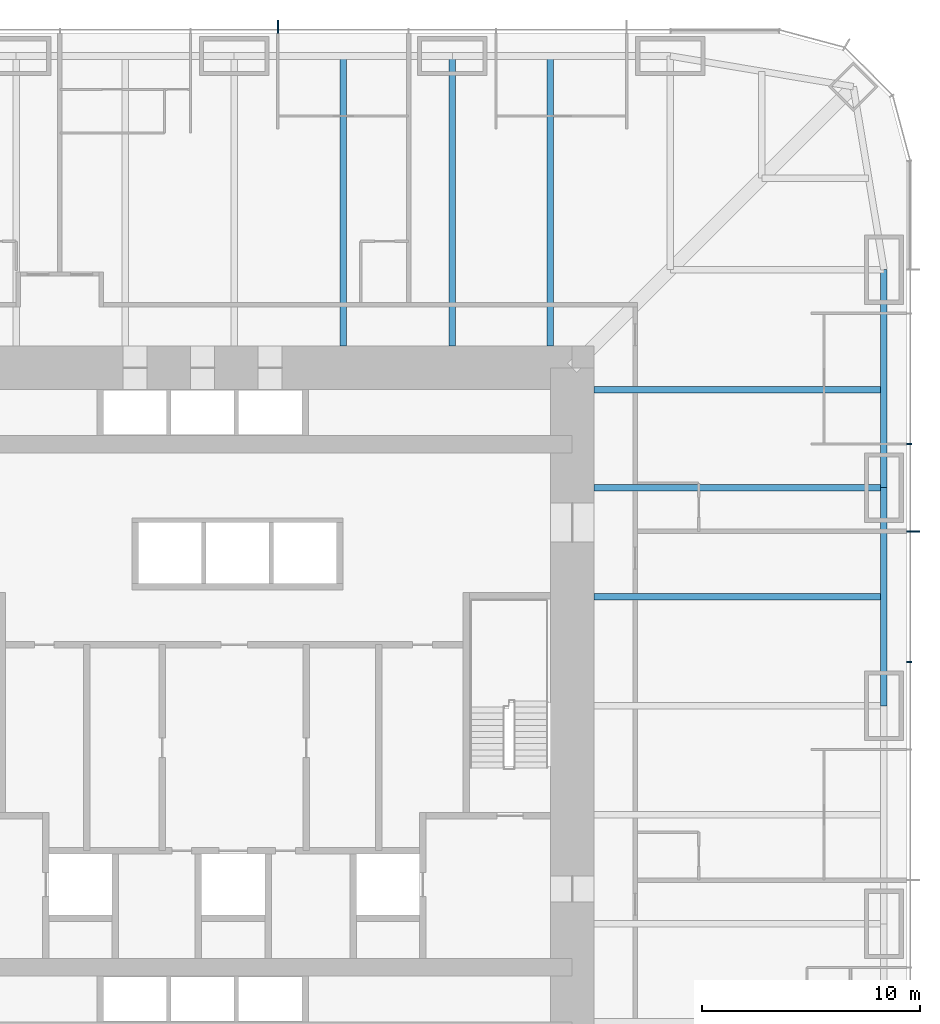
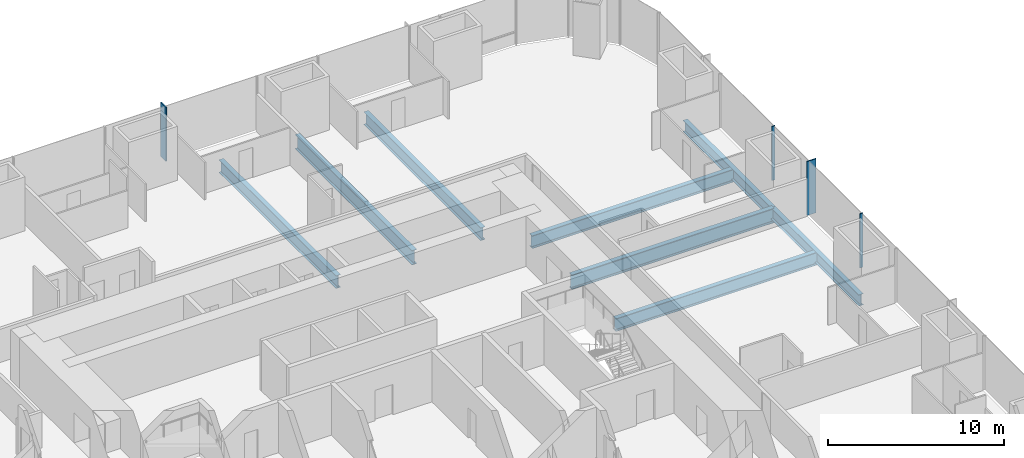
# One storey, part 8 of 17: 8 beams, 4 members, 2 elements without a shape of their own.
"""IFC4 building model written with IfcOpenShell, lengths in metres."""

from ifc_helpers import new_model, si_unit, direction, frame, origin, origin_2d, place, context, subcontext, project, spatial, rectangle, i_section, extrude, material, material_profile, profile_set, type_object, element, aggregate, save


model = new_model("IFC4")

# Units and contexts
model_context = context("Model", 3, precision=1e-05, world=origin(), true_north=direction((0.0, 1.0)))
body_context = subcontext(model_context, "Body", "Model", "MODEL_VIEW")
ifc_project = project(units=[si_unit("LENGTHUNIT", "METRE"), si_unit("AREAUNIT", "SQUARE_METRE"), si_unit("VOLUMEUNIT", "CUBIC_METRE"), si_unit("PLANEANGLEUNIT", "RADIAN"), si_unit("MASSUNIT", "GRAM", prefix="KILO")], contexts=[model_context])

# Site, building, storey
site_placement = place(None, origin())
site = spatial("IfcSite", under=ifc_project, at=site_placement, CompositionType="ELEMENT")
building_placement = place(site_placement, origin())
building = spatial("IfcBuilding", under=site, at=building_placement, Name="Khuree Lantern Residences", CompositionType="ELEMENT")
storey_placement = place(building_placement, frame((0.0, 0.0, 92.25)))
storey = spatial("IfcBuildingStorey", under=building, at=storey_placement, Name="L23", CompositionType="ELEMENT", Elevation=92.25)

# Beams
ifc_material_1 = material(Name="Steel S355", Category="steel")
ifc_material_profile_1 = material_profile(ifc_material_1, i_section(OverallWidth=0.300048828125, OverallDepth=0.889892578125, WebThickness=0.01611328125, FlangeThickness=0.030029296875, FilletRadius=0.030029296875, at=origin_2d()), Name="HE 900 A")
ifc_profile_set_1 = profile_set([ifc_material_profile_1], Name="Steel S355")
beam_type_1 = type_object("IfcBeamType", Name="B-15 SECONDARY BEAM HE 900 A", PredefinedType="BEAM", material=ifc_profile_set_1)
for number, where, z_axis, x_axis, name in (
    (1, (5.0, 29.800048828125, -0.695068359375), (0.0, -1.0, 0.0), (1.0, 0.0, 0.0), "Secondary beam N3"),
    (2, (14.5, 29.800048828125, -0.695068359375), (0.0, -1.0, 0.0), (1.0, 0.0, 0.0), "Secondary beam N4"),
    (3, (29.800048828125, 14.5, -0.695068359375), (-1.0, 0.0, 0.0), (0.0, -1.0, 0.0), "Secondary beam E2"),
    (4, (29.800048828125, 5.0, -0.695068359375), (-1.0, 0.0, 0.0), (0.0, -1.0, 0.0), "Secondary beam E3"),
):
    element("IfcBeam", number, at=place(storey_placement, frame(where, z_axis=z_axis, x_axis=x_axis)), inside=storey, type_object=beam_type_1, Name=name, PredefinedType="BEAM", context=body_context, shape_type="SweptSolid", body=[
        extrude(i_section(OverallWidth=0.300048828125, OverallDepth=0.889892578125, WebThickness=0.01611328125, FlangeThickness=0.030029296875, FilletRadius=0.030029296875, at=origin_2d()), origin(), (0.0, 0.0, 1.0), 13.300048828125),
    ])
ifc_material_profile_2 = material_profile(ifc_material_1, i_section(OverallWidth=0.300048828125, OverallDepth=0.7900390625, WebThickness=0.014892578125, FlangeThickness=0.028076171875, FilletRadius=0.030029296875, at=origin_2d()), Name="HE 800 A")
ifc_profile_set_2 = profile_set([ifc_material_profile_2], Name="Steel S355")
beam_type_2 = type_object("IfcBeamType", Name="E-15 SPANDREL BEAM HE 800 A", PredefinedType="SPANDREL", material=ifc_profile_set_2)
for number, where, z_axis, x_axis, name in (
    (5, (29.800048828125, 20.0, -0.64501953125), (0.0, -1.0, 0.0), (1.0, 0.0, 0.0), "Spandrel beam E2"),
    (6, (29.800048828125, 10.0, -0.64501953125), (0.0, -1.0, 0.0), (1.0, 0.0, 0.0), "Spandrel beam E3"),
):
    element("IfcBeam", number, at=place(storey_placement, frame(where, z_axis=z_axis, x_axis=x_axis)), inside=storey, type_object=beam_type_2, Name=name, PredefinedType="SPANDREL", context=body_context, shape_type="SweptSolid", body=[
        extrude(i_section(OverallWidth=0.300048828125, OverallDepth=0.7900390625, WebThickness=0.014892578125, FlangeThickness=0.028076171875, FilletRadius=0.030029296875, at=origin_2d()), origin(), (0.0, 0.0, 1.0), 10.0),
    ])

# Curtain wall, member
ifc_material_2 = material(Name="Bronze anodised aluminium", Category="aluminium")
curtain_wall_type = type_object("IfcCurtainWallType", Name="CW-T1 TOWER FACE CURTAIN WALL", PredefinedType="USERDEFINED", material=ifc_material_2)
curtain_wall_1_placement = place(storey_placement, origin())
curtain_wall_1 = element("IfcCurtainWall", 7, at=curtain_wall_1_placement, inside=storey, type_object=curtain_wall_type, Name="L23 EAST FACE CURTAIN WALL", ObjectType="Stick-built curtain wall", PredefinedType="USERDEFINED")
ifc_material_profile_3 = material_profile(ifc_material_2, rectangle(XDim=0.06494140625, YDim=0.60009765625, at=origin_2d()), Name="F1 65X600")
ifc_profile_set_3 = profile_set([ifc_material_profile_3], Name="Bronze anodised aluminium")
member_type_1 = type_object("IfcMemberType", Name="F1 BRONZE FIN MULLION TOWER 65X600", PredefinedType="MULLION", material=ifc_profile_set_3)
member_1_placement = place(storey_placement, frame((31.14990234375, 8.0, 0.0), z_axis=(0.0, 0.0, 1.0), x_axis=(0.0, 1.0, 0.0)))
member_1 = element("IfcMember", 8, at=member_1_placement, type_object=member_type_1, Name="L23 EAST FACE FIN MULLION 11", PredefinedType="MULLION", context=body_context, shape_type="SweptSolid", body=[
    extrude(rectangle(XDim=0.06494140625, YDim=0.60009765625, at=origin_2d()), origin(), (0.0, 0.0, 1.0), 3.75),
])

curtain_wall_2_placement = place(storey_placement, origin())
curtain_wall_2 = element("IfcCurtainWall", 9, at=curtain_wall_2_placement, inside=storey, type_object=curtain_wall_type, Name="L23 NORTH FACE CURTAIN WALL", ObjectType="Stick-built curtain wall", PredefinedType="USERDEFINED")
member_2_placement = place(storey_placement, frame((2.0, 31.14990234375, 0.0), z_axis=(0.0, 0.0, 1.0), x_axis=(-1.0, 0.0, 0.0)))
member_2 = element("IfcMember", 10, at=member_2_placement, type_object=member_type_1, Name="L23 NORTH FACE FIN MULLION 23", PredefinedType="MULLION", context=body_context, shape_type="SweptSolid", body=[
    extrude(rectangle(XDim=0.06494140625, YDim=0.60009765625, at=origin_2d()), origin(), (0.0, 0.0, 1.0), 3.75),
])
aggregate(curtain_wall_2, [member_2])

# Beams
ifc_material_profile_4 = material_profile(ifc_material_1, i_section(OverallWidth=0.302001953125, OverallDepth=1.008056640625, WebThickness=0.02099609375, FlangeThickness=0.0400390625, FilletRadius=0.030029296875, at=origin_2d()), Name="HE 1000 M")
ifc_profile_set_4 = profile_set([ifc_material_profile_4], Name="Steel S355")
beam_type_3 = type_object("IfcBeamType", Name="G-15 GIRDER HE 1000 M", PredefinedType="BEAM", material=ifc_profile_set_4)
for number, where, z_axis, x_axis, name in (
    (11, (10.0, 29.800048828125, -0.75390625), (0.0, -1.0, 0.0), (1.0, 0.0, 0.0), "Girder N4"),
    (12, (29.800048828125, 10.0, -0.75390625), (-1.0, 0.0, 0.0), (0.0, -1.0, 0.0), "Girder E2"),
):
    element("IfcBeam", number, at=place(storey_placement, frame(where, z_axis=z_axis, x_axis=x_axis)), inside=storey, type_object=beam_type_3, Name=name, PredefinedType="BEAM", context=body_context, shape_type="SweptSolid", body=[
        extrude(i_section(OverallWidth=0.302001953125, OverallDepth=1.008056640625, WebThickness=0.02099609375, FlangeThickness=0.0400390625, FilletRadius=0.030029296875, at=origin_2d()), origin(), (0.0, 0.0, 1.0), 13.300048828125),
    ])

# Member
ifc_material_profile_5 = material_profile(ifc_material_2, rectangle(XDim=0.06494140625, YDim=0.219970703125, at=origin_2d()), Name="M1 65X220")
ifc_profile_set_5 = profile_set([ifc_material_profile_5], Name="Bronze anodised aluminium")
member_type_2 = type_object("IfcMemberType", Name="M1 BRONZE MULLION TOWER 65X220", PredefinedType="MULLION", material=ifc_profile_set_5)
member_3_placement = place(storey_placement, frame((30.9599609375, 2.0, 0.0), z_axis=(0.0, 0.0, 1.0), x_axis=(0.0, 1.0, 0.0)))
member_3 = element("IfcMember", 13, at=member_3_placement, type_object=member_type_2, Name="L23 EAST FACE MULLION 10", PredefinedType="MULLION", context=body_context, shape_type="SweptSolid", body=[
    extrude(rectangle(XDim=0.06494140625, YDim=0.219970703125, at=origin_2d()), origin(), (0.0, 0.0, 1.0), 3.75),
])

member_4_placement = place(storey_placement, frame((30.9599609375, 12.0, 0.0), z_axis=(0.0, 0.0, 1.0), x_axis=(0.0, 1.0, 0.0)))
member_4 = element("IfcMember", 14, at=member_4_placement, type_object=member_type_2, Name="L23 EAST FACE MULLION 12", PredefinedType="MULLION", context=body_context, shape_type="SweptSolid", body=[
    extrude(rectangle(XDim=0.06494140625, YDim=0.219970703125, at=origin_2d()), origin(), (0.0, 0.0, 1.0), 3.75),
])

aggregate(curtain_wall_1, [member_3, member_1, member_4])

save(model, "model.ifc")
